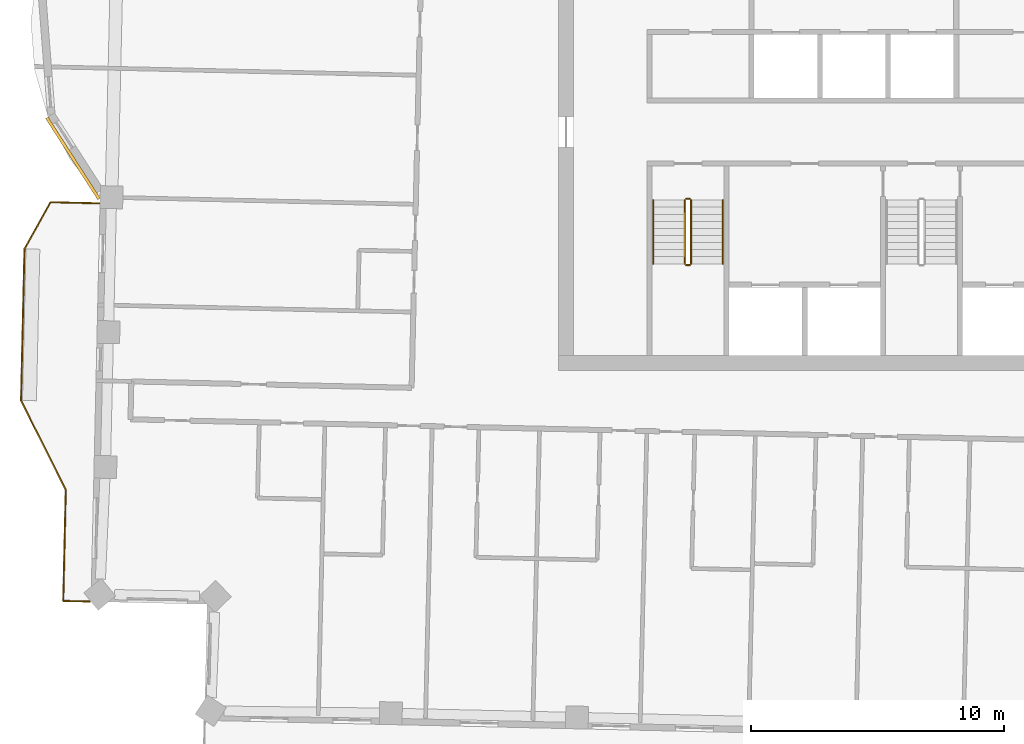
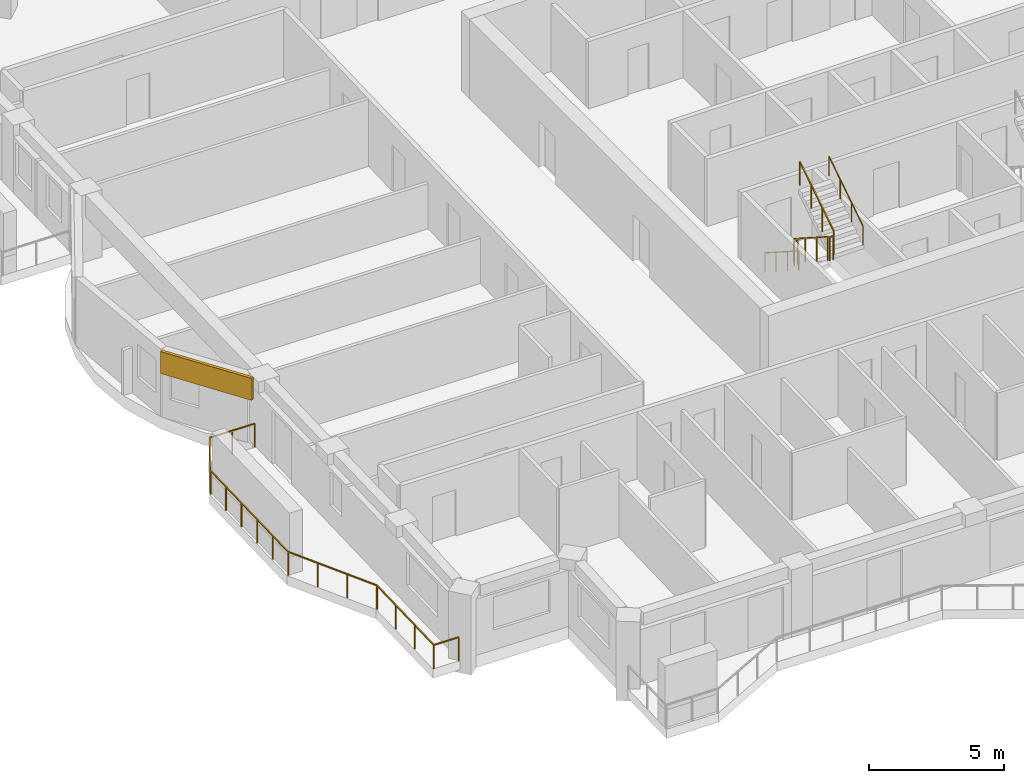
# One storey, part 12 of 15: 7 railings, 1 covering.
"""IFC4 building model written with IfcOpenShell, lengths in metres."""

from ifc_helpers import new_model, si_unit, direction, frame, frame_2d, origin, origin_2d, place, context, subcontext, project, spatial, rectangle, circle, extrude, material, layer, layer_set, type_object, element, save


model = new_model("IFC4")

# Units and contexts
model_context = context("Model", 3, precision=1e-05, world=origin(), true_north=direction((0.0, 1.0)))
body_context = subcontext(model_context, "Body", "Model", "MODEL_VIEW")
ifc_project = project(units=[si_unit("LENGTHUNIT", "METRE"), si_unit("AREAUNIT", "SQUARE_METRE"), si_unit("VOLUMEUNIT", "CUBIC_METRE"), si_unit("PLANEANGLEUNIT", "RADIAN"), si_unit("MASSUNIT", "GRAM", prefix="KILO")], contexts=[model_context])

# Site, building, storey
site_placement = place(None, origin())
site = spatial("IfcSite", under=ifc_project, at=site_placement, CompositionType="ELEMENT")
building_placement = place(site_placement, origin())
building = spatial("IfcBuilding", under=site, at=building_placement, Name="Mangrove Gate Tower", CompositionType="ELEMENT")
storey_placement = place(building_placement, frame((0.0, 0.0, 309.699951171875)))
storey = spatial("IfcBuildingStorey", under=building, at=storey_placement, Name="L79", CompositionType="ELEMENT", Elevation=309.699951171875)

# Railings
ifc_material_1 = material(Name="Stainless steel grade 316 with laminated glass infill", Category="steel")
railing_type_1 = type_object("IfcRailingType", Name="Balcony guard 1100", PredefinedType="GUARDRAIL", material=ifc_material_1)
railing_1_placement = place(storey_placement, frame((-32.593994140625, -4.77392578125, 0.0)))
element("IfcRailing", 1, at=railing_1_placement, inside=storey, type_object=railing_type_1, Name="GUARD L79 W2", PredefinedType="GUARDRAIL", context=body_context, shape_type="SweptSolid", body=[
    extrude(rectangle(XDim=0.048095703125, YDim=0.048095703125, at=origin_2d()), frame((0.0, 0.0, 1.076171875), z_axis=(-0.999737613728, 0.02290641172, 0.0), x_axis=(-0.02290641172, -0.999737613728, 0.0)), (0.0, 0.0, 1.0), 1.91845703125),
    extrude(rectangle(XDim=0.048095703125, YDim=0.048095703125, at=origin_2d()), frame((-1.91796875, 0.0439453125, 1.076171875), z_axis=(-0.487098711433, -0.873346921515, 0.0), x_axis=(0.873346921515, -0.487098711433, 0.0)), (0.0, 0.0, 1.0), 2.12060546875),
    extrude(rectangle(XDim=0.048095703125, YDim=0.048095703125, at=origin_2d()), frame((-2.950927734375, -1.80810546875, 1.076171875), z_axis=(-0.022824916448, -0.999739477659, 0.0), x_axis=(0.999739477659, -0.022824916448, 0.0)), (0.0, 0.0, 1.0), 6.00048828125),
    extrude(rectangle(XDim=0.048095703125, YDim=0.048095703125, at=origin_2d()), frame((-3.087890625, -7.80712890625, 1.076171875), z_axis=(0.447312255532, -0.894377854182, 0.0), x_axis=(0.894377854182, 0.447312255532, 0.0)), (0.0, 0.0, 1.0), 3.959228515625),
    extrude(rectangle(XDim=0.048095703125, YDim=0.048095703125, at=origin_2d()), frame((-1.31689453125, -11.34814453125, 1.076171875), z_axis=(-0.022754182687, -0.999741090068, 0.0), x_axis=(0.999741090068, -0.022754182687, 0.0)), (0.0, 0.0, 1.0), 4.399169921875),
    extrude(rectangle(XDim=0.048095703125, YDim=0.048095703125, at=origin_2d()), frame((-1.4169921875, -15.74609375, 1.076171875), z_axis=(0.999744919731, -0.022585293253, 0.0), x_axis=(0.022585293253, 0.999744919731, 0.0)), (0.0, 0.0, 1.0), 1.059326171875),
    extrude(rectangle(XDim=0.0419921875, YDim=0.0419921875, at=origin_2d()), origin(), (0.0, 0.0, 1.0), 1.052001953125),
    extrude(rectangle(XDim=0.0419921875, YDim=0.0419921875, at=origin_2d()), frame((-0.958984375, 0.02197265625, 0.0)), (0.0, 0.0, 1.0), 1.052001953125),
    extrude(rectangle(XDim=0.0419921875, YDim=0.0419921875, at=origin_2d()), frame((-1.91796875, 0.0439453125, 0.0)), (0.0, 0.0, 1.0), 1.052001953125),
    extrude(rectangle(XDim=0.0419921875, YDim=0.0419921875, at=origin_2d()), frame((-2.4345703125, -0.882080078125, 0.0)), (0.0, 0.0, 1.0), 1.052001953125),
    extrude(rectangle(XDim=0.0419921875, YDim=0.0419921875, at=origin_2d()), frame((-2.950927734375, -1.80810546875, 0.0)), (0.0, 0.0, 1.0), 1.052001953125),
    extrude(rectangle(XDim=0.0419921875, YDim=0.0419921875, at=origin_2d()), frame((-2.978271484375, -3.0078125, 0.0)), (0.0, 0.0, 1.0), 1.052001953125),
    extrude(rectangle(XDim=0.0419921875, YDim=0.0419921875, at=origin_2d()), frame((-3.005615234375, -4.207763671875, 0.0)), (0.0, 0.0, 1.0), 1.052001953125),
    extrude(rectangle(XDim=0.0419921875, YDim=0.0419921875, at=origin_2d()), frame((-3.033203125, -5.407470703125, 0.0)), (0.0, 0.0, 1.0), 1.052001953125),
    extrude(rectangle(XDim=0.0419921875, YDim=0.0419921875, at=origin_2d()), frame((-3.060546875, -6.607421875, 0.0)), (0.0, 0.0, 1.0), 1.052001953125),
    extrude(rectangle(XDim=0.0419921875, YDim=0.0419921875, at=origin_2d()), frame((-3.087890625, -7.80712890625, 0.0)), (0.0, 0.0, 1.0), 1.052001953125),
    extrude(rectangle(XDim=0.0419921875, YDim=0.0419921875, at=origin_2d()), frame((-2.49755859375, -8.987548828125, 0.0)), (0.0, 0.0, 1.0), 1.052001953125),
    extrude(rectangle(XDim=0.0419921875, YDim=0.0419921875, at=origin_2d()), frame((-1.9072265625, -10.167724609375, 0.0)), (0.0, 0.0, 1.0), 1.052001953125),
    extrude(rectangle(XDim=0.0419921875, YDim=0.0419921875, at=origin_2d()), frame((-1.31689453125, -11.34814453125, 0.0)), (0.0, 0.0, 1.0), 1.052001953125),
    extrude(rectangle(XDim=0.0419921875, YDim=0.0419921875, at=origin_2d()), frame((-1.350341796875, -12.814208984375, 0.0)), (0.0, 0.0, 1.0), 1.052001953125),
    extrude(rectangle(XDim=0.0419921875, YDim=0.0419921875, at=origin_2d()), frame((-1.383544921875, -14.280029296875, 0.0)), (0.0, 0.0, 1.0), 1.052001953125),
    extrude(rectangle(XDim=0.0419921875, YDim=0.0419921875, at=origin_2d()), frame((-1.4169921875, -15.74609375, 0.0)), (0.0, 0.0, 1.0), 1.052001953125),
    extrude(rectangle(XDim=0.0419921875, YDim=0.0419921875, at=origin_2d()), frame((-0.35791015625, -15.77001953125, 0.0)), (0.0, 0.0, 1.0), 1.052001953125),
])
ifc_material_2 = material(Name="Stainless steel 316", Category="steel")
railing_type_2 = type_object("IfcRailingType", Name="Core stair guard 1100", PredefinedType="GUARDRAIL", material=ifc_material_2)
railing_2_placement = place(storey_placement, frame((-9.39990234375, -4.64990234375, 0.179931640625)))
element("IfcRailing", 2, at=railing_2_placement, inside=storey, type_object=railing_type_2, Name="L79 ST1 stair guard 1", PredefinedType="GUARDRAIL", context=body_context, shape_type="SweptSolid", body=[
    extrude(rectangle(XDim=0.048095703125, YDim=0.048095703125, at=origin_2d()), frame((0.0, 0.0, 1.076171875), z_axis=(0.0, -0.841162588446, 0.540782303519), x_axis=(1.0, 0.0, 0.0)), (0.0, 0.0, 1.0), 2.995849609375),
    extrude(rectangle(XDim=0.0419921875, YDim=0.0419921875, at=origin_2d()), origin(), (0.0, 0.0, 1.0), 1.052001953125),
    extrude(rectangle(XDim=0.0419921875, YDim=0.0419921875, at=origin_2d()), frame((0.0, -0.840087890625, 0.5400390625)), (0.0, 0.0, 1.0), 1.052001953125),
    extrude(rectangle(XDim=0.0419921875, YDim=0.0419921875, at=origin_2d()), frame((0.0, -1.679931640625, 1.080078125)), (0.0, 0.0, 1.0), 1.052001953125),
    extrude(rectangle(XDim=0.0419921875, YDim=0.0419921875, at=origin_2d()), frame((0.0, -2.52001953125, 1.6201171875)), (0.0, 0.0, 1.0), 1.052001953125),
])
railing_3_placement = place(storey_placement, frame((-9.35009765625, -7.219970703125, 1.800048828125)))
element("IfcRailing", 3, at=railing_3_placement, inside=storey, type_object=railing_type_2, Name="L79 ST1 stair guard 2", PredefinedType="GUARDRAIL", context=body_context, shape_type="SweptSolid", body=[
    extrude(rectangle(XDim=0.048095703125, YDim=0.048095703125, at=origin_2d()), frame((0.0, 0.0, 1.076171875), z_axis=(1.0, 0.0, 0.0), x_axis=(0.0, 1.0, 0.0)), (0.0, 0.0, 1.0), 0.150146484375),
    extrude(rectangle(XDim=0.0419921875, YDim=0.0419921875, at=origin_2d()), origin(), (0.0, 0.0, 1.0), 1.052001953125),
    extrude(rectangle(XDim=0.0419921875, YDim=0.0419921875, at=origin_2d()), frame((0.150146484375, 0.0, 0.0)), (0.0, 0.0, 1.0), 1.052001953125),
])
railing_4_placement = place(storey_placement, frame((-9.14990234375, -7.169921875, 1.97998046875)))
element("IfcRailing", 4, at=railing_4_placement, inside=storey, type_object=railing_type_2, Name="L79 ST1 stair guard 3", PredefinedType="GUARDRAIL", context=body_context, shape_type="SweptSolid", body=[
    extrude(rectangle(XDim=0.048095703125, YDim=0.048095703125, at=origin_2d()), frame((0.0, 0.0, 1.076171875), z_axis=(0.0, 0.841162588446, 0.540782303519), x_axis=(-1.0, 0.0, 0.0)), (0.0, 0.0, 1.0), 2.995849609375),
    extrude(rectangle(XDim=0.0419921875, YDim=0.0419921875, at=origin_2d()), origin(), (0.0, 0.0, 1.0), 1.052001953125),
    extrude(rectangle(XDim=0.0419921875, YDim=0.0419921875, at=origin_2d()), frame((0.0, 0.840087890625, 0.5400390625)), (0.0, 0.0, 1.0), 1.052001953125),
    extrude(rectangle(XDim=0.0419921875, YDim=0.0419921875, at=origin_2d()), frame((0.0, 1.679931640625, 1.080078125)), (0.0, 0.0, 1.0), 1.052001953125),
    extrude(rectangle(XDim=0.0419921875, YDim=0.0419921875, at=origin_2d()), frame((0.0, 2.52001953125, 1.6201171875)), (0.0, 0.0, 1.0), 1.052001953125),
])
railing_5_placement = place(storey_placement, frame((-9.35009765625, -4.60009765625, 0.0)))
element("IfcRailing", 5, at=railing_5_placement, inside=storey, type_object=railing_type_2, Name="L79 ST1 stair guard 4", PredefinedType="GUARDRAIL", context=body_context, shape_type="SweptSolid", body=[
    extrude(rectangle(XDim=0.048095703125, YDim=0.048095703125, at=origin_2d()), frame((0.0, 0.0, 1.076171875), z_axis=(1.0, 0.0, 0.0), x_axis=(0.0, 1.0, 0.0)), (0.0, 0.0, 1.0), 0.150146484375),
    extrude(rectangle(XDim=0.0419921875, YDim=0.0419921875, at=origin_2d()), origin(), (0.0, 0.0, 1.0), 1.052001953125),
    extrude(rectangle(XDim=0.0419921875, YDim=0.0419921875, at=origin_2d()), frame((0.150146484375, 0.0, 0.0)), (0.0, 0.0, 1.0), 1.052001953125),
])
ifc_material_3 = material(Name="Stainless steel 316", Category="steel")
railing_type_3 = type_object("IfcRailingType", Name="Core stair handrail 900", PredefinedType="HANDRAIL", material=ifc_material_3)
railing_6_placement = place(storey_placement, frame((-10.64990234375, -4.64990234375, 0.179931640625)))
element("IfcRailing", 6, at=railing_6_placement, inside=storey, type_object=railing_type_3, Name="L79 ST1 stair handrail 1", PredefinedType="HANDRAIL", context=body_context, shape_type="SweptSolid", body=[
    extrude(circle(Radius=0.02392578125, at=origin_2d()), frame((0.0, 0.0, 0.8759765625), z_axis=(0.0, -0.841162588446, 0.540782303519), x_axis=(1.0, 0.0, 0.0)), (0.0, 0.0, 1.0), 2.995849609375),
    extrude(circle(Radius=0.02099609375, at=origin_2d()), origin(), (0.0, 0.0, 1.0), 0.851806640625),
    extrude(circle(Radius=0.02099609375, at=origin_2d()), frame((0.0, -0.840087890625, 0.5400390625)), (0.0, 0.0, 1.0), 0.851806640625),
    extrude(circle(Radius=0.02099609375, at=origin_2d()), frame((0.0, -1.679931640625, 1.080078125)), (0.0, 0.0, 1.0), 0.851806640625),
    extrude(circle(Radius=0.02099609375, at=origin_2d()), frame((0.0, -2.52001953125, 1.6201171875)), (0.0, 0.0, 1.0), 0.851806640625),
])
railing_7_placement = place(storey_placement, frame((-7.89990234375, -7.169921875, 1.97998046875)))
element("IfcRailing", 7, at=railing_7_placement, inside=storey, type_object=railing_type_3, Name="L79 ST1 stair handrail 2", PredefinedType="HANDRAIL", context=body_context, shape_type="SweptSolid", body=[
    extrude(circle(Radius=0.02392578125, at=origin_2d()), frame((0.0, 0.0, 0.8759765625), z_axis=(0.0, 0.841162588446, 0.540782303519), x_axis=(-1.0, 0.0, 0.0)), (0.0, 0.0, 1.0), 2.995849609375),
    extrude(circle(Radius=0.02099609375, at=origin_2d()), origin(), (0.0, 0.0, 1.0), 0.851806640625),
    extrude(circle(Radius=0.02099609375, at=origin_2d()), frame((0.0, 0.840087890625, 0.5400390625)), (0.0, 0.0, 1.0), 0.851806640625),
    extrude(circle(Radius=0.02099609375, at=origin_2d()), frame((0.0, 1.679931640625, 1.080078125)), (0.0, 0.0, 1.0), 0.851806640625),
    extrude(circle(Radius=0.02099609375, at=origin_2d()), frame((0.0, 2.52001953125, 1.6201171875)), (0.0, 0.0, 1.0), 0.851806640625),
])

# Covering
ifc_material_4 = material(Name="Limestone", Category="masonry")
ifc_layer_1 = layer(ifc_material_4, 0.0400390625, Name="Limestone cladding")
ifc_material_5 = material(Name="Stainless steel anchors and cavity", Category="steel")
ifc_layer_2 = layer(ifc_material_5, 0.080078125, Name="Fixing cavity")
ifc_layer_set = layer_set([ifc_layer_1, ifc_layer_2], Name="Joint fascia cladding 120")
covering_type = type_object("IfcCoveringType", Name="Joint fascia cladding 120", PredefinedType="CLADDING", material=ifc_layer_set)
covering_placement = place(storey_placement, frame((-34.657958984375, -1.39111328125, 2.050048828125), z_axis=(0.0, 0.0, 1.0), x_axis=(0.540602448732, -0.841278189676, 0.0)))
element("IfcCovering", 8, at=covering_placement, inside=storey, type_object=covering_type, Name="STONE FASCIA L79 W9.L2", PredefinedType="CLADDING", context=body_context, shape_type="SweptSolid", body=[
    extrude(rectangle(XDim=3.81787109375, YDim=0.1201171875, at=frame_2d((1.908935546875, 0.0))), origin(), (0.0, 0.0, 1.0), 1.0),
])

save(model, "model.ifc")
